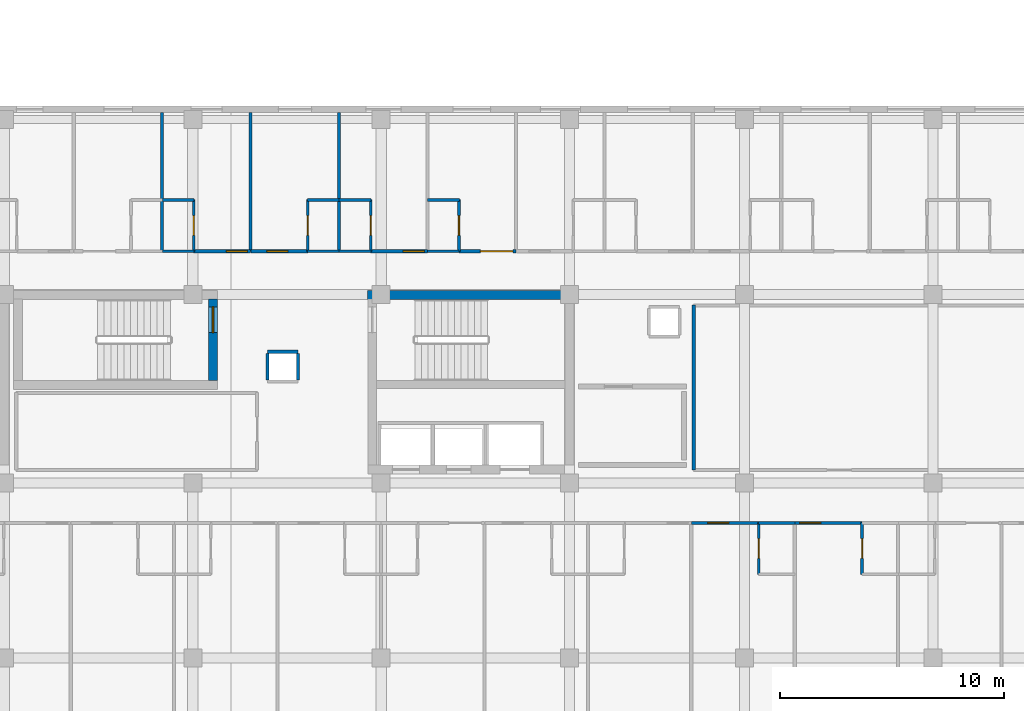
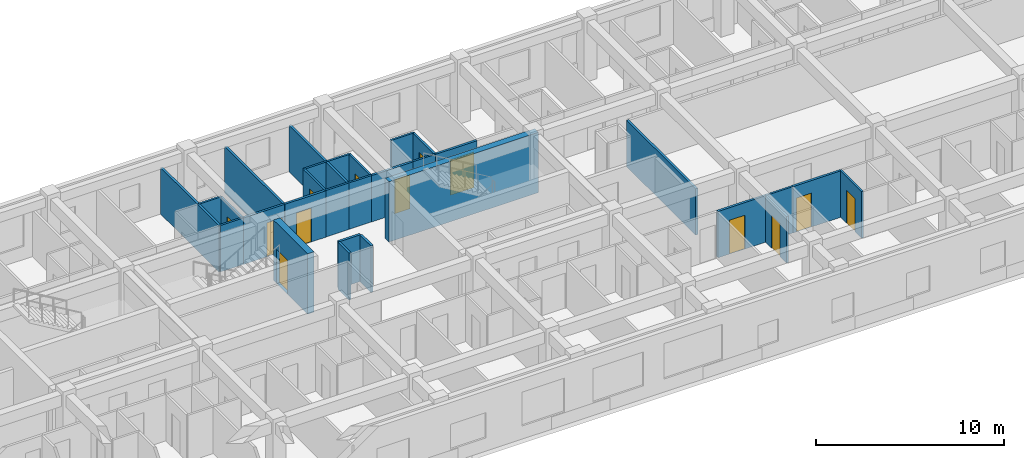
# One storey, part 107 of 123: 30 walls, 13 doors, 13 openings.
"""IFC4 building model written with IfcOpenShell, lengths in metres."""

import ifcopenshell
import ifcopenshell.guid

model = None  # the IFC model being written
_history = None  # IfcOwnerHistory: only IFC2X3 demands one
_inside = {}  # id of a spatial element -> (the spatial element, [elements in it])
_under = {}  # id of a project, library or spatial element -> (it, [spatial elements below it])
_declared = {}  # id of a project -> (the project, [libraries it declares])
_typed = {}  # id of a type object -> (the type object, [elements of that type])
_made_of = {}  # id of a material, layer set ... -> (it, [elements and type objects made of it])


def new_model(schema):
    """Start an empty IFC model of exactly this schema.

    Asked for "IFC4X3", IfcOpenShell would pick the latest addendum, in which some entities
    have other attributes; the version numbers below select the first issue.
    IFC2X3 requires an IfcOwnerHistory on every rooted entity: one is made here for all.
    """
    global model, _history
    if schema == "IFC4X3":
        model = ifcopenshell.file(schema_version=(4, 3, 0, 0))
    else:
        model = ifcopenshell.file(schema=schema)
    _inside.clear()
    _under.clear()
    _declared.clear()
    _typed.clear()
    _made_of.clear()
    _history = None
    if model.schema == "IFC2X3":
        org = make("IfcOrganization", Name="unknown")
        user = make(
            "IfcPersonAndOrganization",
            ThePerson=make("IfcPerson", FamilyName="unknown"),
            TheOrganization=org,
        )
        app = make(
            "IfcApplication",
            ApplicationDeveloper=org,
            Version="unknown",
            ApplicationFullName="unknown",
            ApplicationIdentifier="unknown",
        )
        _history = make(
            "IfcOwnerHistory",
            OwningUser=user,
            OwningApplication=app,
            ChangeAction="ADDED",
            CreationDate=0,
        )
    return model


def make(cls, **values):
    """One entity of the class cls with the attributes given. An attribute that is None is left unset."""
    return model.create_entity(
        cls, **{name: value for name, value in values.items() if value is not None}
    )


def rooted(cls, **values):
    """An entity with a GlobalId (a new one), such as an element, a storey or a relation."""
    return make(cls, GlobalId=ifcopenshell.guid.new(), OwnerHistory=_history, **values)


def si_unit(unit_type, name, prefix=None):
    """IfcSIUnit, for example si_unit("LENGTHUNIT", "METRE", prefix="MILLI")."""
    return make("IfcSIUnit", UnitType=unit_type, Prefix=prefix, Name=name)


def assignment(units):
    """IfcUnitAssignment: the units of a project."""
    return None if units is None else make("IfcUnitAssignment", Units=units)


def point(xyz):
    """IfcCartesianPoint."""
    return None if xyz is None else make("IfcCartesianPoint", Coordinates=xyz)


def direction(xyz):
    """IfcDirection."""
    return None if xyz is None else make("IfcDirection", DirectionRatios=xyz)


def frame(location, z_axis=None, x_axis=None):
    """IfcAxis2Placement3D, a coordinate frame: its origin and axes. An axis left out is left unset."""
    return make(
        "IfcAxis2Placement3D",
        Location=point(location),
        Axis=direction(z_axis),
        RefDirection=direction(x_axis),
    )


def frame_2d(location, x_axis=None):
    """IfcAxis2Placement2D, a coordinate frame in the plane: its origin and x axis."""
    return make(
        "IfcAxis2Placement2D", Location=point(location), RefDirection=direction(x_axis)
    )


def origin():
    """The frame at (0, 0, 0) with its axes left unset."""
    return frame((0.0, 0.0, 0.0))


def place(relative_to, where):
    """IfcLocalPlacement: puts the frame where relative to a parent placement (None: the world)."""
    return make(
        "IfcLocalPlacement", PlacementRelTo=relative_to, RelativePlacement=where
    )


def context(
    kind, dimensions, precision=None, world=None, true_north=None, identifier=None
):
    """IfcGeometricRepresentationContext, for example the 3D "Model" context."""
    return make(
        "IfcGeometricRepresentationContext",
        ContextIdentifier=identifier,
        ContextType=kind,
        CoordinateSpaceDimension=dimensions,
        Precision=precision,
        WorldCoordinateSystem=world,
        TrueNorth=true_north,
    )


def subcontext(parent, identifier, kind, view, scale=None):
    """IfcGeometricRepresentationSubContext, for example "Body" below "Model"."""
    return make(
        "IfcGeometricRepresentationSubContext",
        ContextIdentifier=identifier,
        ContextType=kind,
        ParentContext=parent,
        TargetScale=scale,
        TargetView=view,
    )


def project(units=None, contexts=None):
    """IfcProject with its units and contexts."""
    return rooted(
        "IfcProject",
        Name="project",
        RepresentationContexts=contexts,
        UnitsInContext=assignment(units),
    )


def spatial(cls, under=None, at=None, **own):
    """A site, building, storey or space (cls), placed at a placement, below another one or the project."""
    s = rooted(cls, ObjectPlacement=at, **own)
    if under is not None:
        _under.setdefault(under.id(), (under, []))[1].append(s)
    return s


def profile(cls, at=None, kind="AREA", **sizes):
    """A parametric profile (cls). Its sizes go by their IFC names, for example OverallWidth=200.0."""
    return make(cls, ProfileType=kind, Position=at, **sizes)


def rectangle(**sizes):
    """IfcRectangleProfileDef."""
    return profile("IfcRectangleProfileDef", **sizes)


def extrude(swept, where, along, depth):
    """IfcExtrudedAreaSolid: the profile swept, set in the frame where, extruded along a direction by depth."""
    return make(
        "IfcExtrudedAreaSolid",
        SweptArea=swept,
        Position=where,
        ExtrudedDirection=direction(along),
        Depth=depth,
    )


def shape(context_of_items, identifier, shape_type, items):
    """IfcShapeRepresentation: the items that make up one representation, for example the "Body"."""
    return make(
        "IfcShapeRepresentation",
        ContextOfItems=context_of_items,
        RepresentationIdentifier=identifier,
        RepresentationType=shape_type,
        Items=items,
    )


def material(Name=None, Category=None):
    """IfcMaterial."""
    return make("IfcMaterial", Name=Name, Category=Category)


def layer(
    of_material, thickness, ventilated=None, Name=None, Category=None, Priority=None
):
    """IfcMaterialLayer: one layer of a wall or slab, of a material (None: an air gap)."""
    return make(
        "IfcMaterialLayer",
        Material=of_material,
        LayerThickness=thickness,
        IsVentilated=ventilated,
        Name=Name,
        Category=Category,
        Priority=Priority,
    )


def layer_set(layers, Name=None):
    """IfcMaterialLayerSet."""
    return make("IfcMaterialLayerSet", MaterialLayers=layers, LayerSetName=Name)


def made_of(thing, what):
    """Note that an element or type object is made of a material, layer set ...; save() writes the relation."""
    if what is not None:
        _made_of.setdefault(what.id(), (what, []))[1].append(thing)
    return thing


def type_object(cls, material=None, **own):
    """A type object (cls), such as IfcWallType, which elements share."""
    return made_of(rooted(cls, **own), material)


def element(
    cls,
    number,
    at=None,
    inside=None,
    cuts=None,
    type_object=None,
    material=None,
    context=None,
    identifier="Body",
    shape_type=None,
    held_by="IfcProductDefinitionShape",
    body=None,
    shapes=None,
    **own,
):
    """One element of the class cls, such as IfcWall. Its Tag is "e" and its number.

    at: its placement. inside: the storey or other place that contains it. cuts: it is an
    opening in that element (IfcRelVoidsElement). A single representation is given by context,
    identifier, shape_type and body (its items); several are given by shapes. held_by: the class
    of the entity that holds the representations. save() writes the other relations.
    """
    e = rooted(cls, Tag="e%d" % number, ObjectPlacement=at, **own)
    if body is not None:
        shapes = [shape(context, identifier, shape_type, body)]
    if shapes is not None:
        e.Representation = make(held_by, Representations=shapes)
    if inside is not None:
        _inside.setdefault(inside.id(), (inside, []))[1].append(e)
    if cuts is not None:
        rooted(
            "IfcRelVoidsElement", RelatingBuildingElement=cuts, RelatedOpeningElement=e
        )
    if type_object is not None:
        _typed.setdefault(type_object.id(), (type_object, []))[1].append(e)
    return made_of(e, material)


def fill(opening, filler):
    """IfcRelFillsElement: the door or window that sits in an opening."""
    return rooted(
        "IfcRelFillsElement",
        RelatingOpeningElement=opening,
        RelatedBuildingElement=filler,
    )


def aggregate(whole, parts):
    """IfcRelAggregates: a whole, such as a stair, and the parts it consists of."""
    return rooted("IfcRelAggregates", RelatingObject=whole, RelatedObjects=parts)


def save(model, path):
    """Write the relations noted so far, then the file.

    IfcRelAggregates (storeys below a building ...), IfcRelContainedInSpatialStructure (elements
    in a storey), IfcRelDefinesByType, IfcRelAssociatesMaterial and IfcRelDeclares: one each for
    every whole, place, type object, material and project.
    """
    for whole, parts in _under.values():
        aggregate(whole, parts)
    for where, things in _inside.values():
        rooted(
            "IfcRelContainedInSpatialStructure",
            RelatedElements=things,
            RelatingStructure=where,
        )
    for kind, things in _typed.values():
        rooted("IfcRelDefinesByType", RelatedObjects=things, RelatingType=kind)
    for what, things in _made_of.values():
        rooted("IfcRelAssociatesMaterial", RelatedObjects=things, RelatingMaterial=what)
    for by, libraries in _declared.values():
        rooted("IfcRelDeclares", RelatingContext=by, RelatedDefinitions=libraries)
    model.write(path)


model = new_model("IFC4")

# Units and contexts
model_context = context("Model", 3, precision=1e-05, world=origin(), true_north=direction((0.0, 1.0)))
body_context = subcontext(model_context, "Body", "Model", "MODEL_VIEW")
ifc_project = project(units=[si_unit("LENGTHUNIT", "METRE"), si_unit("AREAUNIT", "SQUARE_METRE"), si_unit("VOLUMEUNIT", "CUBIC_METRE"), si_unit("PLANEANGLEUNIT", "RADIAN"), si_unit("MASSUNIT", "GRAM", prefix="KILO")], contexts=[model_context])

# Site, building, storey
site_placement = place(None, origin())
site = spatial("IfcSite", under=ifc_project, at=site_placement, CompositionType="ELEMENT")
building_placement = place(site_placement, origin())
building = spatial("IfcBuilding", under=site, at=building_placement, Name="Zayran Congress Hotel", CompositionType="ELEMENT")
storey_placement = place(building_placement, frame((0.0, 0.0, 15.0)))
storey = spatial("IfcBuildingStorey", under=building, at=storey_placement, Name="L03", CompositionType="ELEMENT", Elevation=15.0)

# Wall
ifc_material_1 = material(Name="Concrete C40/50", Category="concrete")
ifc_layer_1 = layer(ifc_material_1, 0.39990234375)
ifc_layer_set_1 = layer_set([ifc_layer_1], Name="Concrete C40/50")
wall_type_1 = type_object("IfcWallType", Name="WL-SH-400", PredefinedType="SHEAR", material=ifc_layer_set_1)
wall_1_placement = place(storey_placement, frame((59.0, 25.5849609375, 0.0), z_axis=(0.0, 0.0, 1.0), x_axis=(-1.0, 0.0, 0.0)))
element("IfcWall", 1, at=wall_1_placement, inside=storey, type_object=wall_type_1, Name="CWALL-C-V5E-L03-N", PredefinedType="SHEAR", context=body_context, shape_type="SweptSolid", body=[
    extrude(rectangle(XDim=9.199951171875, YDim=0.39990234375, at=frame_2d((4.60009765625, 0.0))), origin(), (0.0, 0.0, 1.0), 3.919921875),
])

# Wall, opening, door
wall_2_placement = place(storey_placement, frame((42.89990234375, 21.760009765625, 0.0), z_axis=(0.0, 0.0, 1.0), x_axis=(0.0, 1.0, 0.0)))
wall_2 = element("IfcWall", 2, at=wall_2_placement, inside=storey, type_object=wall_type_1, Name="CWALL-C-V5M-L03-E", PredefinedType="SHEAR", context=body_context, shape_type="SweptSolid", body=[
    extrude(rectangle(XDim=3.639892578125, YDim=0.39990234375, at=frame_2d((1.81982421875, 0.0))), origin(), (0.0, 0.0, 1.0), 3.919921875),
])
opening_1_placement = place(wall_2_placement, frame((2.139892578125, 0.0, 0.0)))
opening_1 = element("IfcOpeningElement", 3, at=opening_1_placement, cuts=wall_2, Name="Opening DR-FD-90", PredefinedType="OPENING", context=body_context, shape_type="SweptSolid", body=[
    extrude(rectangle(XDim=1.14990234375, YDim=2.199951171875, at=frame_2d((0.574951171875, 1.10009765625))), frame((0.0, 0.2099609375, 0.0), z_axis=(0.0, -1.0, 0.0), x_axis=(1.0, 0.0, 0.0)), (0.0, 0.0, 1.0), 0.419921875),
])
ifc_material_2 = material(Name="Painted steel fire door assembly", Category="steel")
door_type_1 = type_object("IfcDoorType", Name="TP-DR-FD-90", OperationType="NOTDEFINED", PredefinedType="DOOR", material=ifc_material_2)
door_1_placement = place(opening_1_placement, origin())
door_1 = element("IfcDoor", 4, at=door_1_placement, inside=storey, type_object=door_type_1, Name="ST-13 Exit Stair Door L03", OperationType="SINGLE_SWING_LEFT", OverallHeight=2.199951171875, OverallWidth=1.14990234375, PredefinedType="DOOR", context=body_context, shape_type="SweptSolid", body=[
    extrude(rectangle(XDim=1.14990234375, YDim=2.199951171875, at=frame_2d((0.574951171875, 1.10009765625))), frame((0.0, 0.02490234375, 0.0), z_axis=(0.0, -1.0, 0.0), x_axis=(1.0, 0.0, 0.0)), (0.0, 0.0, 1.0), 0.050048828125),
])
fill(opening_1, door_1)

ifc_material_3 = material(Name="Hospitality guestroom acoustic partition", Category="gypsum")
ifc_layer_2 = layer(ifc_material_3, 0.139892578125)
ifc_layer_set_2 = layer_set([ifc_layer_2], Name="Hospitality guestroom acoustic partition")
wall_type_2 = type_object("IfcWallType", Name="WL-PT-140", PredefinedType="PARTITIONING", material=ifc_layer_set_2)
wall_3_placement = place(storey_placement, frame((64.242919921875, 15.419921875, 0.0), z_axis=(0.0, 0.0, 1.0), x_axis=(1.0, 0.0, 0.0)))
wall_3 = element("IfcWall", 5, at=wall_3_placement, inside=storey, type_object=wall_type_2, Name="IW-L03-0583", PredefinedType="PARTITIONING", context=body_context, shape_type="SweptSolid", body=[
    extrude(rectangle(XDim=2.982177734375, YDim=0.139892578125, at=frame_2d((1.4912109375, 0.0))), origin(), (0.0, 0.0, 1.0), 3.02001953125),
])
opening_2_placement = place(wall_3_placement, frame((0.7060546875, 0.0, 0.0)))
opening_2 = element("IfcOpeningElement", 6, at=opening_2_placement, cuts=wall_3, Name="Opening DR-GR-01", PredefinedType="OPENING", context=body_context, shape_type="SweptSolid", body=[
    extrude(rectangle(XDim=0.93994140625, YDim=2.199951171875, at=frame_2d((0.469970703125, 1.10009765625))), frame((0.0, 0.079833984375, 0.0), z_axis=(0.0, -1.0, 0.0), x_axis=(1.0, 0.0, 0.0)), (0.0, 0.0, 1.0), 0.159912109375),
])
ifc_material_4 = material(Name="Acoustic walnut veneer fire-rated entry door", Category="wood")
door_type_2 = type_object("IfcDoorType", Name="TP-DR-GR-01", OperationType="NOTDEFINED", PredefinedType="DOOR", material=ifc_material_4)
door_2_placement = place(opening_2_placement, origin())
door_2 = element("IfcDoor", 7, at=door_2_placement, inside=storey, type_object=door_type_2, Name="Guest Room L03-13 Door", OperationType="SINGLE_SWING_LEFT", OverallHeight=2.199951171875, OverallWidth=0.93994140625, PredefinedType="DOOR", context=body_context, shape_type="SweptSolid", body=[
    extrude(rectangle(XDim=0.93994140625, YDim=2.199951171875, at=frame_2d((0.469970703125, 1.10009765625))), frame((0.0, 0.02490234375, 0.0), z_axis=(0.0, -1.0, 0.0), x_axis=(1.0, 0.0, 0.0)), (0.0, 0.0, 1.0), 0.050048828125),
])
fill(opening_2, door_2)

wall_4_placement = place(storey_placement, frame((68.85400390625, 15.419921875, 0.0), z_axis=(0.0, 0.0, 1.0), x_axis=(1.0, 0.0, 0.0)))
wall_4 = element("IfcWall", 8, at=wall_4_placement, inside=storey, type_object=wall_type_2, Name="IW-L03-0584", PredefinedType="PARTITIONING", context=body_context, shape_type="SweptSolid", body=[
    extrude(rectangle(XDim=2.98291015625, YDim=0.139892578125, at=frame_2d((1.491455078125, 0.0))), origin(), (0.0, 0.0, 1.0), 3.02001953125),
])
opening_3_placement = place(wall_4_placement, frame((0.202880859375, 0.0, 0.0)))
opening_3 = element("IfcOpeningElement", 9, at=opening_3_placement, cuts=wall_4, Name="Opening DR-GR-01", PredefinedType="OPENING", context=body_context, shape_type="SweptSolid", body=[
    extrude(rectangle(XDim=0.93994140625, YDim=2.199951171875, at=frame_2d((0.469970703125, 1.10009765625))), frame((0.0, 0.079833984375, 0.0), z_axis=(0.0, -1.0, 0.0), x_axis=(1.0, 0.0, 0.0)), (0.0, 0.0, 1.0), 0.159912109375),
])
door_3_placement = place(opening_3_placement, origin())
door_3 = element("IfcDoor", 10, at=door_3_placement, inside=storey, type_object=door_type_2, Name="Guest Room L03-14 Door", OperationType="SINGLE_SWING_RIGHT", OverallHeight=2.199951171875, OverallWidth=0.93994140625, PredefinedType="DOOR", context=body_context, shape_type="SweptSolid", body=[
    extrude(rectangle(XDim=0.93994140625, YDim=2.199951171875, at=frame_2d((0.469970703125, 1.10009765625))), frame((0.0, 0.02490234375, 0.0), z_axis=(0.0, -1.0, 0.0), x_axis=(1.0, 0.0, 0.0)), (0.0, 0.0, 1.0), 0.050048828125),
])
fill(opening_3, door_3)

wall_5_placement = place(storey_placement, frame((42.0419921875, 27.530029296875, 0.0), z_axis=(0.0, 0.0, 1.0), x_axis=(1.0, 0.0, 0.0)))
wall_5 = element("IfcWall", 11, at=wall_5_placement, inside=storey, type_object=wall_type_2, Name="IW-L03-0596", PredefinedType="PARTITIONING", context=body_context, shape_type="SweptSolid", body=[
    extrude(rectangle(XDim=2.534912109375, YDim=0.139892578125, at=frame_2d((1.267578125, 0.0))), origin(), (0.0, 0.0, 1.0), 3.02001953125),
])
opening_4_placement = place(wall_5_placement, frame((1.455078125, 0.0, 0.0)))
opening_4 = element("IfcOpeningElement", 12, at=opening_4_placement, cuts=wall_5, Name="Opening DR-GR-01", PredefinedType="OPENING", context=body_context, shape_type="SweptSolid", body=[
    extrude(rectangle(XDim=0.93994140625, YDim=2.199951171875, at=frame_2d((0.469970703125, 1.10009765625))), frame((0.0, 0.079833984375, 0.0), z_axis=(0.0, -1.0, 0.0), x_axis=(1.0, 0.0, 0.0)), (0.0, 0.0, 1.0), 0.159912109375),
])
door_4_placement = place(opening_4_placement, origin())
door_4 = element("IfcDoor", 13, at=door_4_placement, inside=storey, type_object=door_type_2, Name="Guest Room L03-24 Door", OperationType="SINGLE_SWING_RIGHT", OverallHeight=2.199951171875, OverallWidth=0.93994140625, PredefinedType="DOOR", context=body_context, shape_type="SweptSolid", body=[
    extrude(rectangle(XDim=0.93994140625, YDim=2.199951171875, at=frame_2d((0.469970703125, 1.10009765625))), frame((0.0, 0.02490234375, 0.0), z_axis=(0.0, -1.0, 0.0), x_axis=(1.0, 0.0, 0.0)), (0.0, 0.0, 1.0), 0.050048828125),
])
fill(opening_4, door_4)

wall_6_placement = place(storey_placement, frame((44.596923828125, 27.530029296875, 0.0), z_axis=(0.0, 0.0, 1.0), x_axis=(1.0, 0.0, 0.0)))
wall_6 = element("IfcWall", 14, at=wall_6_placement, inside=storey, type_object=wall_type_2, Name="IW-L03-0597", PredefinedType="PARTITIONING", context=body_context, shape_type="SweptSolid", body=[
    extrude(rectangle(XDim=2.5341796875, YDim=0.139892578125, at=frame_2d((1.26708984375, 0.0))), origin(), (0.0, 0.0, 1.0), 3.02001953125),
])
opening_5_placement = place(wall_6_placement, frame((0.702880859375, 0.0, 0.0)))
opening_5 = element("IfcOpeningElement", 15, at=opening_5_placement, cuts=wall_6, Name="Opening DR-GR-01", PredefinedType="OPENING", context=body_context, shape_type="SweptSolid", body=[
    extrude(rectangle(XDim=0.93994140625, YDim=2.199951171875, at=frame_2d((0.469970703125, 1.10009765625))), frame((0.0, 0.079833984375, 0.0), z_axis=(0.0, -1.0, 0.0), x_axis=(1.0, 0.0, 0.0)), (0.0, 0.0, 1.0), 0.159912109375),
])
door_5_placement = place(opening_5_placement, origin())
door_5 = element("IfcDoor", 16, at=door_5_placement, inside=storey, type_object=door_type_2, Name="Guest Room L03-25 Door", OperationType="SINGLE_SWING_LEFT", OverallHeight=2.199951171875, OverallWidth=0.93994140625, PredefinedType="DOOR", context=body_context, shape_type="SweptSolid", body=[
    extrude(rectangle(XDim=0.93994140625, YDim=2.199951171875, at=frame_2d((0.469970703125, 1.10009765625))), frame((0.0, 0.02490234375, 0.0), z_axis=(0.0, -1.0, 0.0), x_axis=(1.0, 0.0, 0.0)), (0.0, 0.0, 1.0), 0.050048828125),
])
fill(opening_5, door_5)

wall_7_placement = place(storey_placement, frame((49.927001953125, 27.530029296875, 0.0), z_axis=(0.0, 0.0, 1.0), x_axis=(1.0, 0.0, 0.0)))
wall_7 = element("IfcWall", 17, at=wall_7_placement, inside=storey, type_object=wall_type_2, Name="IW-L03-0598", PredefinedType="PARTITIONING", context=body_context, shape_type="SweptSolid", body=[
    extrude(rectangle(XDim=2.534912109375, YDim=0.139892578125, at=frame_2d((1.267578125, 0.0))), origin(), (0.0, 0.0, 1.0), 3.02001953125),
])
opening_6_placement = place(wall_7_placement, frame((1.455078125, 0.0, 0.0)))
opening_6 = element("IfcOpeningElement", 18, at=opening_6_placement, cuts=wall_7, Name="Opening DR-GR-01", PredefinedType="OPENING", context=body_context, shape_type="SweptSolid", body=[
    extrude(rectangle(XDim=0.93994140625, YDim=2.199951171875, at=frame_2d((0.469970703125, 1.10009765625))), frame((0.0, 0.079833984375, 0.0), z_axis=(0.0, -1.0, 0.0), x_axis=(1.0, 0.0, 0.0)), (0.0, 0.0, 1.0), 0.159912109375),
])
door_6_placement = place(opening_6_placement, origin())
door_6 = element("IfcDoor", 19, at=door_6_placement, inside=storey, type_object=door_type_2, Name="Guest Room L03-26 Door", OperationType="SINGLE_SWING_RIGHT", OverallHeight=2.199951171875, OverallWidth=0.93994140625, PredefinedType="DOOR", context=body_context, shape_type="SweptSolid", body=[
    extrude(rectangle(XDim=0.93994140625, YDim=2.199951171875, at=frame_2d((0.469970703125, 1.10009765625))), frame((0.0, 0.02490234375, 0.0), z_axis=(0.0, -1.0, 0.0), x_axis=(1.0, 0.0, 0.0)), (0.0, 0.0, 1.0), 0.050048828125),
])
fill(opening_6, door_6)

wall_8_placement = place(storey_placement, frame((53.8701171875, 27.530029296875, 0.0), z_axis=(0.0, 0.0, 1.0), x_axis=(1.0, 0.0, 0.0)))
wall_8 = element("IfcWall", 20, at=wall_8_placement, inside=storey, type_object=wall_type_2, Name="IW-L03-0599", PredefinedType="PARTITIONING", context=body_context, shape_type="SweptSolid", body=[
    extrude(rectangle(XDim=2.534912109375, YDim=0.139892578125, at=frame_2d((1.267578125, 0.0))), origin(), (0.0, 0.0, 1.0), 3.02001953125),
])
opening_7_placement = place(wall_8_placement, frame((0.945068359375, 0.0, 0.0)))
opening_7 = element("IfcOpeningElement", 21, at=opening_7_placement, cuts=wall_8, Name="Opening DR-ST-01", PredefinedType="OPENING", context=body_context, shape_type="SweptSolid", body=[
    extrude(rectangle(XDim=1.449951171875, YDim=2.300048828125, at=frame_2d((0.72509765625, 1.14990234375))), frame((0.0, 0.079833984375, 0.0), z_axis=(0.0, -1.0, 0.0), x_axis=(1.0, 0.0, 0.0)), (0.0, 0.0, 1.0), 0.159912109375),
])
ifc_material_5 = material(Name="Double walnut veneer suite entry door", Category="wood")
door_type_3 = type_object("IfcDoorType", Name="TP-DR-ST-01", OperationType="DOUBLE_DOOR_SINGLE_SWING", PredefinedType="DOOR", material=ifc_material_5)
door_7_placement = place(opening_7_placement, origin())
door_7 = element("IfcDoor", 22, at=door_7_placement, inside=storey, type_object=door_type_3, Name="Executive Suite L03-27 Door", OperationType="DOUBLE_DOOR_SINGLE_SWING", OverallHeight=2.300048828125, OverallWidth=1.449951171875, PredefinedType="DOOR", context=body_context, shape_type="SweptSolid", body=[
    extrude(rectangle(XDim=1.449951171875, YDim=2.300048828125, at=frame_2d((0.72509765625, 1.14990234375))), frame((0.0, 0.02490234375, 0.0), z_axis=(0.0, -1.0, 0.0), x_axis=(1.0, 0.0, 0.0)), (0.0, 0.0, 1.0), 0.050048828125),
])
fill(opening_7, door_7)

# Walls
wall_9_placement = place(storey_placement, frame((64.330078125, 17.77001953125, 0.0), z_axis=(0.0, 0.0, 1.0), x_axis=(0.0, 1.0, 0.0)))
element("IfcWall", 23, at=wall_9_placement, inside=storey, type_object=wall_type_2, Name="IW-L03-1892", PredefinedType="PARTITIONING", context=body_context, shape_type="SweptSolid", body=[
    extrude(rectangle(XDim=7.35986328125, YDim=0.139892578125, at=frame_2d((3.679931640625, 0.0))), origin(), (0.0, 0.0, 1.0), 3.02001953125),
])
for number, where, z_axis, x_axis, name in (
    (24, (40.634033203125, 27.52001953125, 0.0), (0.0, 0.0, 1.0), (0.0, 1.0, 0.0), "IW-L03-1916"),
    (25, (44.576904296875, 27.52001953125, 0.0), (0.0, 0.0, 1.0), (0.0, 1.0, 0.0), "IW-L03-1917"),
    (26, (48.51904296875, 27.52001953125, 0.0), (0.0, 0.0, 1.0), (0.0, 1.0, 0.0), "IW-L03-1918"),
):
    element("IfcWall", number, at=place(storey_placement, frame(where, z_axis=z_axis, x_axis=x_axis)), inside=storey, type_object=wall_type_2, Name=name, PredefinedType="PARTITIONING", context=body_context, shape_type="SweptSolid", body=[
        extrude(rectangle(XDim=6.199951171875, YDim=0.139892578125, at=frame_2d((3.10009765625, 0.0))), origin(), (0.0, 0.0, 1.0), 3.02001953125),
    ])
wall_10_placement = place(storey_placement, frame((46.68994140625, 23.050048828125, 0.0), z_axis=(0.0, 0.0, 1.0), x_axis=(-1.0, 0.0, 0.0)))
element("IfcWall", 27, at=wall_10_placement, inside=storey, type_object=wall_type_2, Name="RSWL-V5-L03-033-N", PredefinedType="PARTITIONING", context=body_context, shape_type="SweptSolid", body=[
    extrude(rectangle(XDim=1.35986328125, YDim=0.139892578125, at=frame_2d((0.679931640625, 0.0))), origin(), (0.0, 0.0, 1.0), 3.0400390625),
])
for number, where, z_axis, x_axis, name in (
    (28, (45.330078125, 22.97998046875, 0.0), (0.0, 0.0, 1.0), (0.0, -1.0, 0.0), "RSWL-V5-L03-033-W"),
    (29, (46.68994140625, 21.800048828125, 0.0), (0.0, 0.0, 1.0), (0.0, 1.0, 0.0), "RSWL-V5-L03-033-E"),
):
    element("IfcWall", number, at=place(storey_placement, frame(where, z_axis=z_axis, x_axis=x_axis)), inside=storey, type_object=wall_type_2, Name=name, PredefinedType="PARTITIONING", context=body_context, shape_type="SweptSolid", body=[
        extrude(rectangle(XDim=1.179931640625, YDim=0.139892578125, at=frame_2d((0.58984375, 0.0))), origin(), (0.0, 0.0, 1.0), 3.0400390625),
    ])

# Wall, opening, door
ifc_material_6 = material(Name="Moisture-resistant bathroom partition", Category="gypsum")
ifc_layer_3 = layer(ifc_material_6, 0.1201171875)
ifc_layer_set_3 = layer_set([ifc_layer_3], Name="Moisture-resistant bathroom partition")
wall_type_3 = type_object("IfcWallType", Name="WL-PT-120", PredefinedType="PARTITIONING", material=ifc_layer_set_3)
wall_11_placement = place(storey_placement, frame((67.22509765625, 13.1201171875, 0.0), z_axis=(0.0, 0.0, 1.0), x_axis=(0.0, 1.0, 0.0)))
wall_11 = element("IfcWall", 30, at=wall_11_placement, inside=storey, type_object=wall_type_3, Name="IW-L03-0103", PredefinedType="PARTITIONING", context=body_context, shape_type="SweptSolid", body=[
    extrude(rectangle(XDim=2.309814453125, YDim=0.1201171875, at=frame_2d((1.15478515625, 0.0))), origin(), (0.0, 0.0, 1.0), 3.02001953125),
])
opening_8_placement = place(wall_11_placement, frame((0.715087890625, 0.0, 0.0)))
opening_8 = element("IfcOpeningElement", 31, at=opening_8_placement, cuts=wall_11, Name="Opening DR-BT-01", PredefinedType="OPENING", context=body_context, shape_type="SweptSolid", body=[
    extrude(rectangle(XDim=0.8798828125, YDim=2.14990234375, at=frame_2d((0.43994140625, 1.074951171875))), frame((0.0, 0.070068359375, 0.0), z_axis=(0.0, -1.0, 0.0), x_axis=(1.0, 0.0, 0.0)), (0.0, 0.0, 1.0), 0.14013671875),
])
ifc_material_7 = material(Name="Moisture-resistant oak en-suite door", Category="wood")
door_type_4 = type_object("IfcDoorType", Name="TP-DR-BT-01", OperationType="NOTDEFINED", PredefinedType="DOOR", material=ifc_material_7)
door_8_placement = place(opening_8_placement, origin())
door_8 = element("IfcDoor", 32, at=door_8_placement, inside=storey, type_object=door_type_4, Name="En-Suite Bathroom L03-13 Door", OperationType="SINGLE_SWING_RIGHT", OverallHeight=2.14990234375, OverallWidth=0.8798828125, PredefinedType="DOOR", context=body_context, shape_type="SweptSolid", body=[
    extrude(rectangle(XDim=0.8798828125, YDim=2.14990234375, at=frame_2d((0.43994140625, 1.074951171875))), frame((0.0, 0.02490234375, 0.0), z_axis=(0.0, -1.0, 0.0), x_axis=(1.0, 0.0, 0.0)), (0.0, 0.0, 1.0), 0.050048828125),
])
fill(opening_8, door_8)

wall_12_placement = place(storey_placement, frame((71.8369140625, 13.1201171875, 0.0), z_axis=(0.0, 0.0, 1.0), x_axis=(0.0, 1.0, 0.0)))
wall_12 = element("IfcWall", 33, at=wall_12_placement, inside=storey, type_object=wall_type_3, Name="IW-L03-0104", PredefinedType="PARTITIONING", context=body_context, shape_type="SweptSolid", body=[
    extrude(rectangle(XDim=2.309814453125, YDim=0.1201171875, at=frame_2d((1.15478515625, 0.0))), origin(), (0.0, 0.0, 1.0), 3.02001953125),
])
opening_9_placement = place(wall_12_placement, frame((0.715087890625, 0.0, 0.0)))
opening_9 = element("IfcOpeningElement", 34, at=opening_9_placement, cuts=wall_12, Name="Opening DR-BT-01", PredefinedType="OPENING", context=body_context, shape_type="SweptSolid", body=[
    extrude(rectangle(XDim=0.8798828125, YDim=2.14990234375, at=frame_2d((0.43994140625, 1.074951171875))), frame((0.0, 0.070068359375, 0.0), z_axis=(0.0, -1.0, 0.0), x_axis=(1.0, 0.0, 0.0)), (0.0, 0.0, 1.0), 0.14013671875),
])
door_9_placement = place(opening_9_placement, origin())
door_9 = element("IfcDoor", 35, at=door_9_placement, inside=storey, type_object=door_type_4, Name="En-Suite Bathroom L03-14 Door", OperationType="SINGLE_SWING_LEFT", OverallHeight=2.14990234375, OverallWidth=0.8798828125, PredefinedType="DOOR", context=body_context, shape_type="SweptSolid", body=[
    extrude(rectangle(XDim=0.8798828125, YDim=2.14990234375, at=frame_2d((0.43994140625, 1.074951171875))), frame((0.0, 0.02490234375, 0.0), z_axis=(0.0, -1.0, 0.0), x_axis=(1.0, 0.0, 0.0)), (0.0, 0.0, 1.0), 0.050048828125),
])
fill(opening_9, door_9)

wall_13_placement = place(storey_placement, frame((42.0419921875, 27.52001953125, 0.0), z_axis=(0.0, 0.0, 1.0), x_axis=(0.0, 1.0, 0.0)))
wall_13 = element("IfcWall", 36, at=wall_13_placement, inside=storey, type_object=wall_type_3, Name="IW-L03-0114", PredefinedType="PARTITIONING", context=body_context, shape_type="SweptSolid", body=[
    extrude(rectangle(XDim=2.31005859375, YDim=0.1201171875, at=frame_2d((1.155029296875, 0.0))), origin(), (0.0, 0.0, 1.0), 3.02001953125),
])
opening_10_placement = place(wall_13_placement, frame((0.715087890625, 0.0, 0.0)))
opening_10 = element("IfcOpeningElement", 37, at=opening_10_placement, cuts=wall_13, Name="Opening DR-BT-01", PredefinedType="OPENING", context=body_context, shape_type="SweptSolid", body=[
    extrude(rectangle(XDim=0.8798828125, YDim=2.14990234375, at=frame_2d((0.43994140625, 1.074951171875))), frame((0.0, 0.070068359375, 0.0), z_axis=(0.0, -1.0, 0.0), x_axis=(1.0, 0.0, 0.0)), (0.0, 0.0, 1.0), 0.14013671875),
])
door_10_placement = place(opening_10_placement, origin())
door_10 = element("IfcDoor", 38, at=door_10_placement, inside=storey, type_object=door_type_4, Name="En-Suite Bathroom L03-24 Door", OperationType="SINGLE_SWING_LEFT", OverallHeight=2.14990234375, OverallWidth=0.8798828125, PredefinedType="DOOR", context=body_context, shape_type="SweptSolid", body=[
    extrude(rectangle(XDim=0.8798828125, YDim=2.14990234375, at=frame_2d((0.43994140625, 1.074951171875))), frame((0.0, 0.02490234375, 0.0), z_axis=(0.0, -1.0, 0.0), x_axis=(1.0, 0.0, 0.0)), (0.0, 0.0, 1.0), 0.050048828125),
])
fill(opening_10, door_10)

wall_14_placement = place(storey_placement, frame((47.131103515625, 27.52001953125, 0.0), z_axis=(0.0, 0.0, 1.0), x_axis=(0.0, 1.0, 0.0)))
wall_14 = element("IfcWall", 39, at=wall_14_placement, inside=storey, type_object=wall_type_3, Name="IW-L03-0115", PredefinedType="PARTITIONING", context=body_context, shape_type="SweptSolid", body=[
    extrude(rectangle(XDim=2.31005859375, YDim=0.1201171875, at=frame_2d((1.155029296875, 0.0))), origin(), (0.0, 0.0, 1.0), 3.02001953125),
])
opening_11_placement = place(wall_14_placement, frame((0.715087890625, 0.0, 0.0)))
opening_11 = element("IfcOpeningElement", 40, at=opening_11_placement, cuts=wall_14, Name="Opening DR-BT-01", PredefinedType="OPENING", context=body_context, shape_type="SweptSolid", body=[
    extrude(rectangle(XDim=0.8798828125, YDim=2.14990234375, at=frame_2d((0.43994140625, 1.074951171875))), frame((0.0, 0.070068359375, 0.0), z_axis=(0.0, -1.0, 0.0), x_axis=(1.0, 0.0, 0.0)), (0.0, 0.0, 1.0), 0.14013671875),
])
door_11_placement = place(opening_11_placement, origin())
door_11 = element("IfcDoor", 41, at=door_11_placement, inside=storey, type_object=door_type_4, Name="En-Suite Bathroom L03-25 Door", OperationType="SINGLE_SWING_RIGHT", OverallHeight=2.14990234375, OverallWidth=0.8798828125, PredefinedType="DOOR", context=body_context, shape_type="SweptSolid", body=[
    extrude(rectangle(XDim=0.8798828125, YDim=2.14990234375, at=frame_2d((0.43994140625, 1.074951171875))), frame((0.0, 0.02490234375, 0.0), z_axis=(0.0, -1.0, 0.0), x_axis=(1.0, 0.0, 0.0)), (0.0, 0.0, 1.0), 0.050048828125),
])
fill(opening_11, door_11)

wall_15_placement = place(storey_placement, frame((49.927001953125, 27.52001953125, 0.0), z_axis=(0.0, 0.0, 1.0), x_axis=(0.0, 1.0, 0.0)))
wall_15 = element("IfcWall", 42, at=wall_15_placement, inside=storey, type_object=wall_type_3, Name="IW-L03-0116", PredefinedType="PARTITIONING", context=body_context, shape_type="SweptSolid", body=[
    extrude(rectangle(XDim=2.31005859375, YDim=0.1201171875, at=frame_2d((1.155029296875, 0.0))), origin(), (0.0, 0.0, 1.0), 3.02001953125),
])
opening_12_placement = place(wall_15_placement, frame((0.715087890625, 0.0, 0.0)))
opening_12 = element("IfcOpeningElement", 43, at=opening_12_placement, cuts=wall_15, Name="Opening DR-BT-01", PredefinedType="OPENING", context=body_context, shape_type="SweptSolid", body=[
    extrude(rectangle(XDim=0.8798828125, YDim=2.14990234375, at=frame_2d((0.43994140625, 1.074951171875))), frame((0.0, 0.070068359375, 0.0), z_axis=(0.0, -1.0, 0.0), x_axis=(1.0, 0.0, 0.0)), (0.0, 0.0, 1.0), 0.14013671875),
])
door_12_placement = place(opening_12_placement, origin())
door_12 = element("IfcDoor", 44, at=door_12_placement, inside=storey, type_object=door_type_4, Name="En-Suite Bathroom L03-26 Door", OperationType="SINGLE_SWING_LEFT", OverallHeight=2.14990234375, OverallWidth=0.8798828125, PredefinedType="DOOR", context=body_context, shape_type="SweptSolid", body=[
    extrude(rectangle(XDim=0.8798828125, YDim=2.14990234375, at=frame_2d((0.43994140625, 1.074951171875))), frame((0.0, 0.02490234375, 0.0), z_axis=(0.0, -1.0, 0.0), x_axis=(1.0, 0.0, 0.0)), (0.0, 0.0, 1.0), 0.050048828125),
])
fill(opening_12, door_12)

wall_16_placement = place(storey_placement, frame((53.8701171875, 27.52001953125, 0.0), z_axis=(0.0, 0.0, 1.0), x_axis=(0.0, 1.0, 0.0)))
wall_16 = element("IfcWall", 45, at=wall_16_placement, inside=storey, type_object=wall_type_3, Name="IW-L03-0117", PredefinedType="PARTITIONING", context=body_context, shape_type="SweptSolid", body=[
    extrude(rectangle(XDim=2.31005859375, YDim=0.1201171875, at=frame_2d((1.155029296875, 0.0))), origin(), (0.0, 0.0, 1.0), 3.02001953125),
])
opening_13_placement = place(wall_16_placement, frame((0.715087890625, 0.0, 0.0)))
opening_13 = element("IfcOpeningElement", 46, at=opening_13_placement, cuts=wall_16, Name="Opening DR-BT-01", PredefinedType="OPENING", context=body_context, shape_type="SweptSolid", body=[
    extrude(rectangle(XDim=0.8798828125, YDim=2.14990234375, at=frame_2d((0.43994140625, 1.074951171875))), frame((0.0, 0.070068359375, 0.0), z_axis=(0.0, -1.0, 0.0), x_axis=(1.0, 0.0, 0.0)), (0.0, 0.0, 1.0), 0.14013671875),
])
door_13_placement = place(opening_13_placement, origin())
door_13 = element("IfcDoor", 47, at=door_13_placement, inside=storey, type_object=door_type_4, Name="En-Suite Bathroom L03-27 Door", OperationType="SINGLE_SWING_RIGHT", OverallHeight=2.14990234375, OverallWidth=0.8798828125, PredefinedType="DOOR", context=body_context, shape_type="SweptSolid", body=[
    extrude(rectangle(XDim=0.8798828125, YDim=2.14990234375, at=frame_2d((0.43994140625, 1.074951171875))), frame((0.0, 0.02490234375, 0.0), z_axis=(0.0, -1.0, 0.0), x_axis=(1.0, 0.0, 0.0)), (0.0, 0.0, 1.0), 0.050048828125),
])
fill(opening_13, door_13)

# Walls
wall_17_placement = place(storey_placement, frame((67.215087890625, 15.419921875, 0.0), z_axis=(0.0, 0.0, 1.0), x_axis=(1.0, 0.0, 0.0)))
element("IfcWall", 48, at=wall_17_placement, inside=storey, type_object=wall_type_3, Name="IW-L03-1074", PredefinedType="PARTITIONING", context=body_context, shape_type="SweptSolid", body=[
    extrude(rectangle(XDim=1.62890625, YDim=0.1201171875, at=frame_2d((0.814453125, 0.0))), origin(), (0.0, 0.0, 1.0), 3.02001953125),
])
for number, where, z_axis, x_axis, name in (
    (49, (40.64404296875, 27.530029296875, 0.0), (0.0, 0.0, 1.0), (1.0, 0.0, 0.0), "IW-L03-1095"),
    (50, (40.64404296875, 29.820068359375, 0.0), (0.0, 0.0, 1.0), (1.0, 0.0, 0.0), "IW-L03-1096"),
    (51, (47.12109375, 27.530029296875, 0.0), (0.0, 0.0, 1.0), (1.0, 0.0, 0.0), "IW-L03-1097"),
    (52, (47.12109375, 29.820068359375, 0.0), (0.0, 0.0, 1.0), (1.0, 0.0, 0.0), "IW-L03-1098"),
    (53, (48.529052734375, 27.530029296875, 0.0), (0.0, 0.0, 1.0), (1.0, 0.0, 0.0), "IW-L03-1099"),
    (54, (48.529052734375, 29.820068359375, 0.0), (0.0, 0.0, 1.0), (1.0, 0.0, 0.0), "IW-L03-1100"),
):
    element("IfcWall", number, at=place(storey_placement, frame(where, z_axis=z_axis, x_axis=x_axis)), inside=storey, type_object=wall_type_3, Name=name, PredefinedType="PARTITIONING", context=body_context, shape_type="SweptSolid", body=[
        extrude(rectangle(XDim=1.407958984375, YDim=0.1201171875, at=frame_2d((0.7041015625, 0.0))), origin(), (0.0, 0.0, 1.0), 3.02001953125),
    ])
wall_18_placement = place(storey_placement, frame((52.471923828125, 27.530029296875, 0.0), z_axis=(0.0, 0.0, 1.0), x_axis=(1.0, 0.0, 0.0)))
element("IfcWall", 55, at=wall_18_placement, inside=storey, type_object=wall_type_3, Name="IW-L03-1101", PredefinedType="PARTITIONING", context=body_context, shape_type="SweptSolid", body=[
    extrude(rectangle(XDim=1.398193359375, YDim=0.1201171875, at=frame_2d((0.69921875, 0.0))), origin(), (0.0, 0.0, 1.0), 3.02001953125),
])
wall_19_placement = place(storey_placement, frame((52.471923828125, 29.820068359375, 0.0), z_axis=(0.0, 0.0, 1.0), x_axis=(1.0, 0.0, 0.0)))
element("IfcWall", 56, at=wall_19_placement, inside=storey, type_object=wall_type_3, Name="IW-L03-1102", PredefinedType="PARTITIONING", context=body_context, shape_type="SweptSolid", body=[
    extrude(rectangle(XDim=1.407958984375, YDim=0.1201171875, at=frame_2d((0.7041015625, 0.0))), origin(), (0.0, 0.0, 1.0), 3.02001953125),
])

save(model, "model.ifc")
